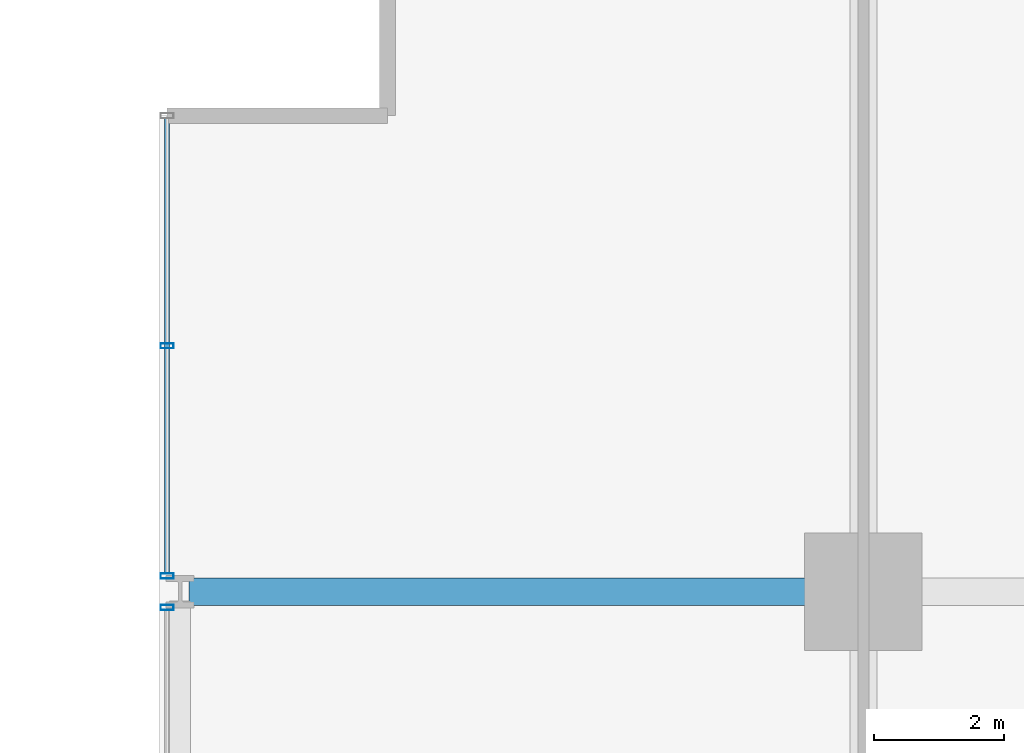
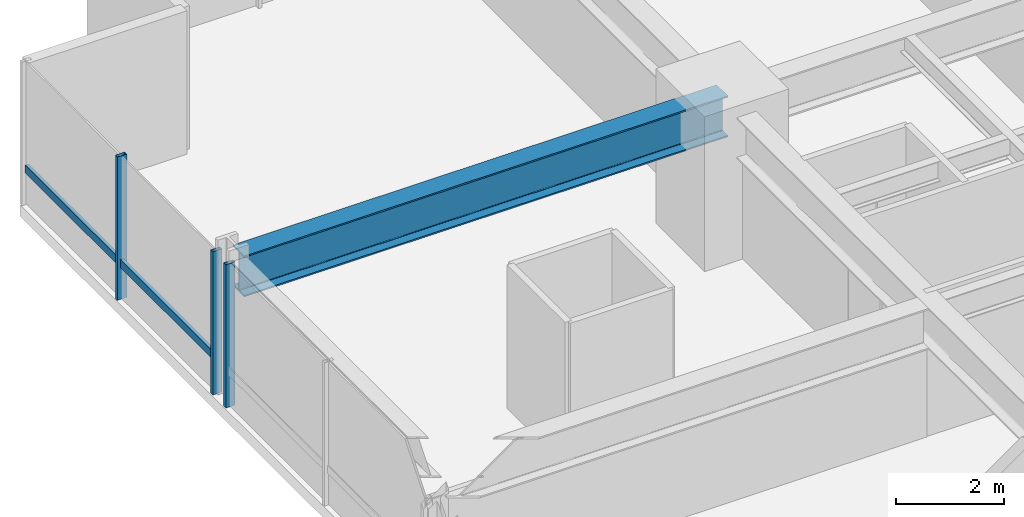
# One storey, part 19 of 39: 4 members, 1 beam, 2 elements without a shape of their own.
"""IFC4 building model written with IfcOpenShell, lengths in metres."""

from ifc_helpers import new_model, si_unit, direction, frame, origin, origin_2d, place, context, subcontext, project, spatial, hollow_rectangle, i_section, extrude, material, layer, layer_set, material_profile, profile_set, type_object, element, aggregate, save


model = new_model("IFC4")

# Units and contexts
model_context = context("Model", 3, precision=1e-05, world=origin(), true_north=direction((0.0, 1.0)))
body_context = subcontext(model_context, "Body", "Model", "MODEL_VIEW")
ifc_project = project(units=[si_unit("LENGTHUNIT", "METRE"), si_unit("AREAUNIT", "SQUARE_METRE"), si_unit("VOLUMEUNIT", "CUBIC_METRE"), si_unit("PLANEANGLEUNIT", "RADIAN"), si_unit("MASSUNIT", "GRAM", prefix="KILO")], contexts=[model_context])

# Site, building, storey
site_placement = place(None, origin())
site = spatial("IfcSite", under=ifc_project, at=site_placement, CompositionType="ELEMENT")
building_placement = place(site_placement, origin())
building = spatial("IfcBuilding", under=site, at=building_placement, Name="Drelvath Grand Hotel", CompositionType="ELEMENT")
storey_placement = place(building_placement, frame((0.0, 0.0, 54.199951171875)))
storey = spatial("IfcBuildingStorey", under=building, at=storey_placement, Name="L12", CompositionType="ELEMENT", Elevation=54.199951171875)

# Curtain wall, member
ifc_material_1 = material(Name="Warm Bronze Anodised Aluminium Frame", Category="aluminium")
ifc_layer = layer(ifc_material_1, 0.199951171875)
ifc_layer_set = layer_set([ifc_layer], Name="Warm Bronze Anodised Aluminium Frame")
curtain_wall_type = type_object("IfcCurtainWallType", Name="Stick Curtain Wall CW-02 Warm Bronze Low-Rise", PredefinedType="NOTDEFINED", material=ifc_layer_set)
curtain_wall_1_placement = place(storey_placement, origin())
curtain_wall_1 = element("IfcCurtainWall", 1, at=curtain_wall_1_placement, inside=storey, type_object=curtain_wall_type, Name="L12 CW-02 Curtain Wall CW02-L12-WN3", PredefinedType="NOTDEFINED")
ifc_material_profile_1 = material_profile(ifc_material_1, hollow_rectangle(XDim=0.074951171875, YDim=0.179931640625, WallThickness=0.0048828125, at=origin_2d()), Name="HSS180X75X5")
ifc_profile_set_1 = profile_set([ifc_material_profile_1], Name="Warm Bronze Anodised Aluminium Frame")
member_type_1 = type_object("IfcMemberType", Name="Curtain Wall Horizontal Transom CW-02 HSS180X75X5", PredefinedType="USERDEFINED", material=ifc_profile_set_1)
member_1_placement = place(storey_placement, frame((-26.8798828125, 43.48095703125, 0.81005859375), z_axis=(0.0, 1.0, 0.0), x_axis=(-1.0, 0.0, 0.0)))
member_1 = element("IfcMember", 2, at=member_1_placement, type_object=member_type_1, Name="CW02-L12-WN3 Sill Transom", ObjectType="TRANSOM", PredefinedType="USERDEFINED", context=body_context, shape_type="SweptSolid", body=[
    extrude(hollow_rectangle(XDim=0.074951171875, YDim=0.179931640625, WallThickness=0.0048828125, at=origin_2d()), origin(), (0.0, 0.0, 1.0), 6.97900390625),
])

curtain_wall_2_placement = place(storey_placement, origin())
curtain_wall_2 = element("IfcCurtainWall", 3, at=curtain_wall_2_placement, inside=storey, type_object=curtain_wall_type, Name="L12 CW-02 Curtain Wall CW02-L12-WN2", PredefinedType="NOTDEFINED")
ifc_material_profile_2 = material_profile(ifc_material_1, hollow_rectangle(XDim=0.080078125, YDim=0.199951171875, WallThickness=0.0048828125, at=origin_2d()), Name="HSS200X80X5")
ifc_profile_set_2 = profile_set([ifc_material_profile_2], Name="Warm Bronze Anodised Aluminium Frame")
member_type_2 = type_object("IfcMemberType", Name="Curtain Wall Vertical Mullion CW-02 HSS200X80X5", PredefinedType="MULLION", material=ifc_profile_set_2)
member_2_placement = place(storey_placement, frame((-26.8798828125, 42.958984375, 0.0), z_axis=(0.0, 0.0, 1.0), x_axis=(0.0, 1.0, 0.0)))
member_2 = element("IfcMember", 4, at=member_2_placement, type_object=member_type_2, Name="CW02-L12-WN2 Mullion 3", PredefinedType="MULLION", context=body_context, shape_type="SweptSolid", body=[
    extrude(hollow_rectangle(XDim=0.080078125, YDim=0.199951171875, WallThickness=0.0048828125, at=origin_2d()), origin(), (0.0, 0.0, 1.0), 3.239990234375),
])
aggregate(curtain_wall_2, [member_2])

# Member
member_3_placement = place(storey_placement, frame((-26.8798828125, 43.44091796875, 0.0), z_axis=(0.0, 0.0, 1.0), x_axis=(0.0, 1.0, 0.0)))
member_3 = element("IfcMember", 5, at=member_3_placement, type_object=member_type_2, Name="CW02-L12-WN3 Mullion 1", PredefinedType="MULLION", context=body_context, shape_type="SweptSolid", body=[
    extrude(hollow_rectangle(XDim=0.080078125, YDim=0.199951171875, WallThickness=0.0048828125, at=origin_2d()), origin(), (0.0, 0.0, 1.0), 3.239990234375),
])

member_4_placement = place(storey_placement, frame((-26.8798828125, 46.970458984375, 0.0), z_axis=(0.0, 0.0, 1.0), x_axis=(0.0, 1.0, 0.0)))
member_4 = element("IfcMember", 6, at=member_4_placement, type_object=member_type_2, Name="CW02-L12-WN3 Mullion 2", PredefinedType="MULLION", context=body_context, shape_type="SweptSolid", body=[
    extrude(hollow_rectangle(XDim=0.080078125, YDim=0.199951171875, WallThickness=0.0048828125, at=origin_2d()), origin(), (0.0, 0.0, 1.0), 3.239990234375),
])

aggregate(curtain_wall_1, [member_3, member_4, member_1])

# Beam
ifc_material_2 = material(Name="Steel ASTM A992 Gr 50", Category="steel")
ifc_material_profile_3 = material_profile(ifc_material_2, i_section(OverallWidth=0.418212890625, OverallDepth=0.926513671875, WebThickness=0.019287109375, FlangeThickness=0.031982421875, FilletRadius=0.028076171875, at=origin_2d()), Name="W36X231")
ifc_profile_set_3 = profile_set([ifc_material_profile_3], Name="Steel ASTM A992 Gr 50")
beam_type = type_object("IfcBeamType", Name="Primary Floor Girder W36X231", PredefinedType="BEAM", material=ifc_profile_set_3)
beam_placement = place(storey_placement, frame((-26.5400390625, 43.199951171875, 2.77685546875), z_axis=(1.0, 0.0, 0.0), x_axis=(0.0, 1.0, 0.0)))
element("IfcBeam", 7, at=beam_placement, inside=storey, type_object=beam_type, Name="L12 West Grid Girder G", PredefinedType="BEAM", context=body_context, shape_type="SweptSolid", body=[
    extrude(i_section(OverallWidth=0.418212890625, OverallDepth=0.926513671875, WebThickness=0.019287109375, FlangeThickness=0.031982421875, FilletRadius=0.028076171875, at=origin_2d()), origin(), (0.0, 0.0, 1.0), 10.340087890625),
])

save(model, "model.ifc")
